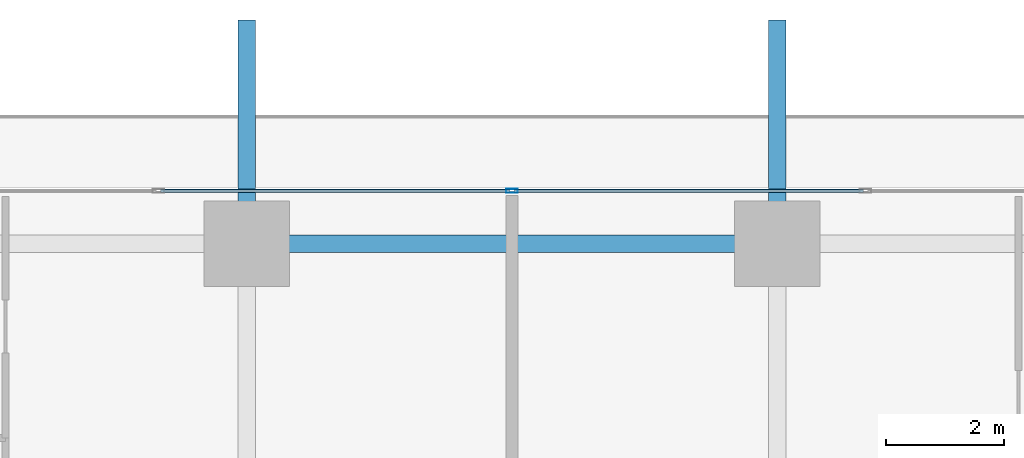
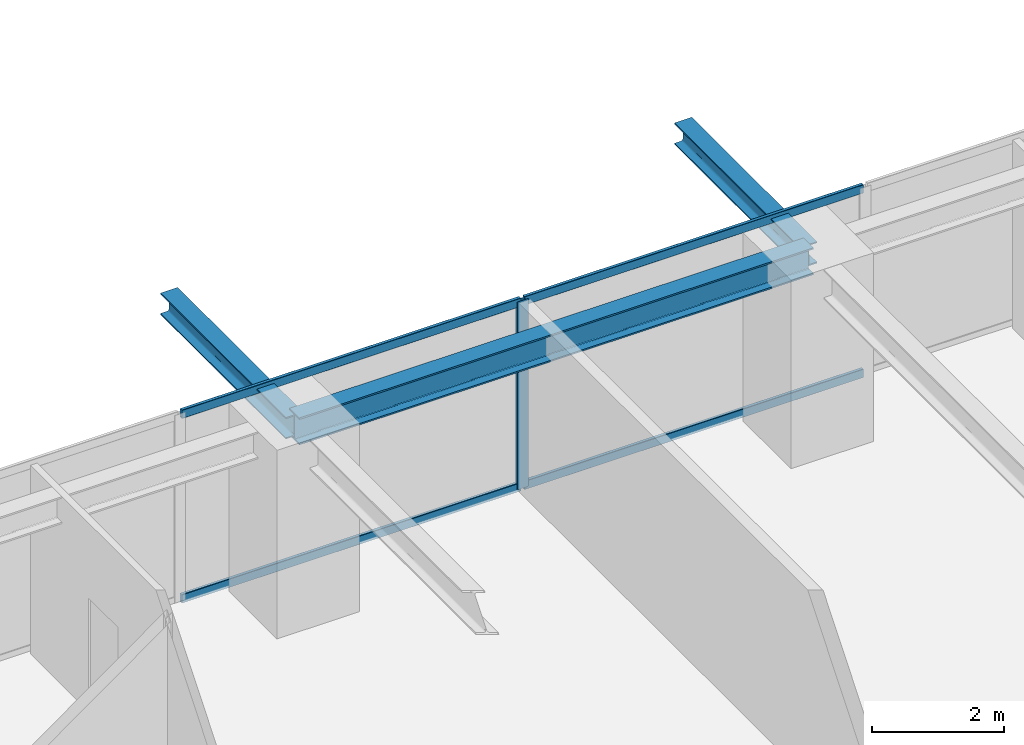
# One storey, part 21 of 39: 5 members, 3 beams, 1 element without a shape of its own.
"""IFC4 building model written with IfcOpenShell, lengths in metres."""

from ifc_helpers import new_model, si_unit, direction, frame, origin, origin_2d, place, context, subcontext, project, spatial, hollow_rectangle, i_section, extrude, source, transform, mapped, material, layer, layer_set, material_profile, profile_set, type_object, element, aggregate, save


model = new_model("IFC4")

# Units and contexts
model_context = context("Model", 3, precision=1e-05, world=origin(), true_north=direction((0.0, 1.0)))
body_context = subcontext(model_context, "Body", "Model", "MODEL_VIEW")
ifc_project = project(units=[si_unit("LENGTHUNIT", "METRE"), si_unit("AREAUNIT", "SQUARE_METRE"), si_unit("VOLUMEUNIT", "CUBIC_METRE"), si_unit("PLANEANGLEUNIT", "RADIAN"), si_unit("MASSUNIT", "GRAM", prefix="KILO")], contexts=[model_context])

# Site, building, storey
site_placement = place(None, origin())
site = spatial("IfcSite", under=ifc_project, at=site_placement, CompositionType="ELEMENT")
building_placement = place(site_placement, origin())
building = spatial("IfcBuilding", under=site, at=building_placement, Name="Serunith Strait Residences", CompositionType="ELEMENT")
storey_placement = place(building_placement, frame((0.0, 0.0, 94.199951171875)))
storey = spatial("IfcBuildingStorey", under=building, at=storey_placement, Name="L23", CompositionType="ELEMENT", Elevation=94.199951171875)

# Beams
ifc_material_1 = material(Name="Steel S355J2", Category="steel")
ifc_material_profile_1 = material_profile(ifc_material_1, i_section(OverallWidth=0.300048828125, OverallDepth=0.5, WebThickness=0.014404296875, FlangeThickness=0.028076171875, FilletRadius=0.027099609375, at=origin_2d()), Name="HEB 500")
ifc_profile_set_1 = profile_set([ifc_material_profile_1], Name="Steel S355J2")
beam_type_1 = type_object("IfcBeamType", Name="BM-HEB500", PredefinedType="BEAM", material=ifc_profile_set_1)
shared_shape_1 = source(origin(), body_context, "Body", "SweptSolid", [
    extrude(i_section(OverallWidth=0.300048828125, OverallDepth=0.5, WebThickness=0.014404296875, FlangeThickness=0.028076171875, FilletRadius=0.027099609375, at=origin_2d()), origin(), (0.0, 0.0, 1.0), 9.0),
])
beam_placement = place(storey_placement, frame((36.89990234375, 49.300048828125, 3.237060546875), z_axis=(-1.0, 0.0, 0.0), x_axis=(0.0, -1.0, 0.0)))
element("IfcBeam", 1, at=beam_placement, inside=storey, type_object=beam_type_1, Name="L23 Perimeter Ring Beam 10", PredefinedType="BEAM", context=body_context, shape_type="MappedRepresentation", body=[
    mapped(shared_shape_1, transform((0.0, 0.0, 0.0), scale=1.0)),
])
ifc_material_profile_2 = material_profile(ifc_material_1, i_section(OverallWidth=0.300048828125, OverallDepth=0.39990234375, WebThickness=0.013427734375, FlangeThickness=0.02392578125, FilletRadius=0.027099609375, at=origin_2d()), Name="HEB 400")
ifc_profile_set_2 = profile_set([ifc_material_profile_2], Name="Steel S355J2")
beam_type_2 = type_object("IfcBeamType", Name="BM-HEB400", PredefinedType="BEAM", material=ifc_profile_set_2)
shared_shape_2 = source(origin(), body_context, "Body", "SweptSolid", [
    extrude(i_section(OverallWidth=0.300048828125, OverallDepth=0.39990234375, WebThickness=0.013427734375, FlangeThickness=0.02392578125, FilletRadius=0.027099609375, at=origin_2d()), origin(), (0.0, 0.0, 1.0), 3.800048828125),
])
for number, where, z_axis, x_axis, name in (
    (2, (27.89990234375, 49.300048828125, 3.257080078125), (0.0, 1.0, 0.0), (-1.0, 0.0, 0.0), "L24 Cantilevered Balcony Rib TC-N2"),
    (3, (36.89990234375, 49.300048828125, 3.257080078125), (0.0, 1.0, 0.0), (-1.0, 0.0, 0.0), "L24 Cantilevered Balcony Rib TC-N3"),
):
    element("IfcBeam", number, at=place(storey_placement, frame(where, z_axis=z_axis, x_axis=x_axis)), inside=storey, type_object=beam_type_2, Name=name, PredefinedType="BEAM", context=body_context, shape_type="MappedRepresentation", body=[
        mapped(shared_shape_2, transform((0.0, 0.0, 0.0), scale=1.0)),
    ])

# Curtain wall, members
ifc_material_2 = material(Name="Pale-Champagne Anodised Aluminium", Category="aluminium")
ifc_layer = layer(ifc_material_2, 0.199951171875, Name="Pale-Champagne Anodised Aluminium")
ifc_layer_set = layer_set([ifc_layer], Name="Pale-Champagne Anodised Aluminium")
curtain_wall_type = type_object("IfcCurtainWallType", Name="CW-SYS1", PredefinedType="NOTDEFINED", material=ifc_layer_set)
curtain_wall_placement = place(storey_placement, origin())
curtain_wall = element("IfcCurtainWall", 4, at=curtain_wall_placement, inside=storey, type_object=curtain_wall_type, Name="L23 N Unitised Fritted Curtain Wall", PredefinedType="NOTDEFINED")
ifc_material_profile_3 = material_profile(ifc_material_2, hollow_rectangle(XDim=0.070068359375, YDim=0.199951171875, WallThickness=0.00390625, InnerFilletRadius=0.006103515625, OuterFilletRadius=0.010009765625, at=origin_2d()), Name="ALU 200x70x4")
ifc_profile_set_3 = profile_set([ifc_material_profile_3], Name="Pale-Champagne Anodised Aluminium")
member_type_1 = type_object("IfcMemberType", Name="CW-SYS1-MULL", PredefinedType="MULLION", material=ifc_profile_set_3)
shared_shape_3 = source(origin(), body_context, "Body", "SweptSolid", [
    extrude(hollow_rectangle(XDim=0.070068359375, YDim=0.199951171875, WallThickness=0.00390625, InnerFilletRadius=0.006103515625, OuterFilletRadius=0.010009765625, at=origin_2d()), origin(), (0.0, 0.0, 1.0), 3.47509765625),
])
member_1_placement = place(storey_placement, frame((32.39990234375, 50.199951171875, 0.0), z_axis=(0.0, 0.0, 1.0), x_axis=(0.0, -1.0, 0.0)))
member_1 = element("IfcMember", 5, at=member_1_placement, type_object=member_type_1, Name="CW-1 mullion 4", PredefinedType="MULLION", context=body_context, shape_type="MappedRepresentation", body=[
    mapped(shared_shape_3, transform((0.0, 0.0, 0.0), scale=1.0)),
])
ifc_material_profile_4 = material_profile(ifc_material_2, hollow_rectangle(XDim=0.06005859375, YDim=0.159912109375, WallThickness=0.00341796875, InnerFilletRadius=0.00537109375, OuterFilletRadius=0.0087890625, at=origin_2d()), Name="ALU 160x60x3.5")
ifc_profile_set_4 = profile_set([ifc_material_profile_4], Name="Pale-Champagne Anodised Aluminium")
member_type_2 = type_object("IfcMemberType", Name="CW-SYS1-TRAN", PredefinedType="USERDEFINED", material=ifc_profile_set_4)
shared_shape_4 = source(origin(), body_context, "Body", "SweptSolid", [
    extrude(hollow_rectangle(XDim=0.06005859375, YDim=0.159912109375, WallThickness=0.00341796875, InnerFilletRadius=0.00537109375, OuterFilletRadius=0.0087890625, at=origin_2d()), origin(), (0.0, 0.0, 1.0), 5.929931640625),
])
member_2_placement = place(storey_placement, frame((38.364990234375, 50.199951171875, 0.030029296875), z_axis=(-1.0, 0.0, 0.0), x_axis=(0.0, -1.0, 0.0)))
member_2 = element("IfcMember", 6, at=member_2_placement, type_object=member_type_2, Name="CW-1 transom 3.1", ObjectType="TRANSOM", PredefinedType="USERDEFINED", context=body_context, shape_type="MappedRepresentation", body=[
    mapped(shared_shape_4, transform((0.0, 0.0, 0.0), scale=1.0)),
])
member_3_placement = place(storey_placement, frame((38.364990234375, 50.199951171875, 3.445068359375), z_axis=(-1.0, 0.0, 0.0), x_axis=(0.0, -1.0, 0.0)))
member_3 = element("IfcMember", 7, at=member_3_placement, type_object=member_type_2, Name="CW-1 transom 3.2", ObjectType="TRANSOM", PredefinedType="USERDEFINED", context=body_context, shape_type="MappedRepresentation", body=[
    mapped(shared_shape_4, transform((0.0, 0.0, 0.0), scale=1.0)),
])
member_4_placement = place(storey_placement, frame((32.364990234375, 50.199951171875, 0.030029296875), z_axis=(-1.0, 0.0, 0.0), x_axis=(0.0, -1.0, 0.0)))
member_4 = element("IfcMember", 8, at=member_4_placement, type_object=member_type_2, Name="CW-1 transom 4.1", ObjectType="TRANSOM", PredefinedType="USERDEFINED", context=body_context, shape_type="MappedRepresentation", body=[
    mapped(shared_shape_4, transform((0.0, 0.0, 0.0), scale=1.0)),
])
member_5_placement = place(storey_placement, frame((32.364990234375, 50.199951171875, 3.445068359375), z_axis=(-1.0, 0.0, 0.0), x_axis=(0.0, -1.0, 0.0)))
member_5 = element("IfcMember", 9, at=member_5_placement, type_object=member_type_2, Name="CW-1 transom 4.2", ObjectType="TRANSOM", PredefinedType="USERDEFINED", context=body_context, shape_type="MappedRepresentation", body=[
    mapped(shared_shape_4, transform((0.0, 0.0, 0.0), scale=1.0)),
])
aggregate(curtain_wall, [member_1, member_2, member_3, member_4, member_5])

save(model, "model.ifc")
